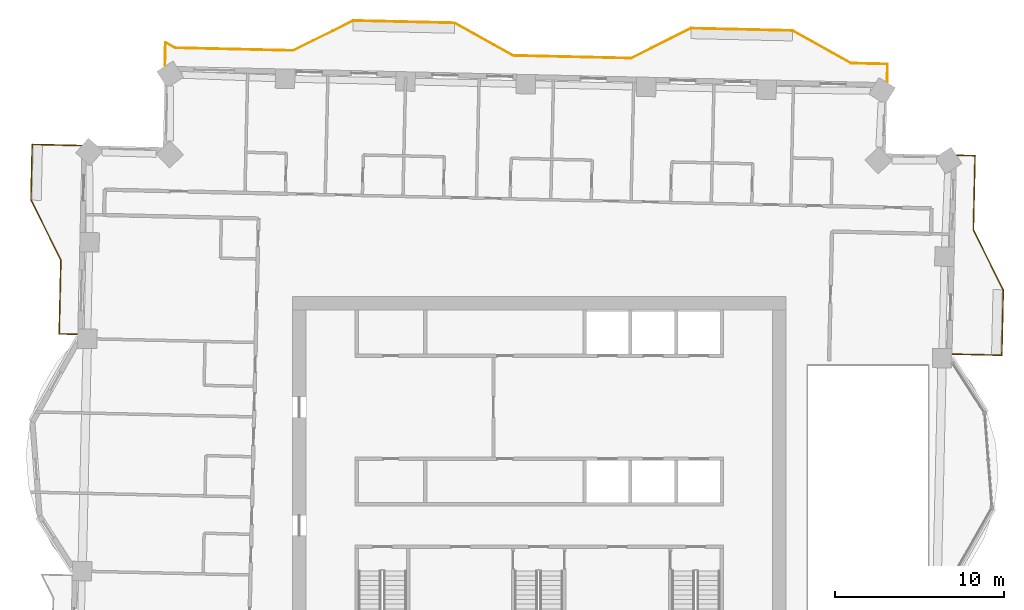
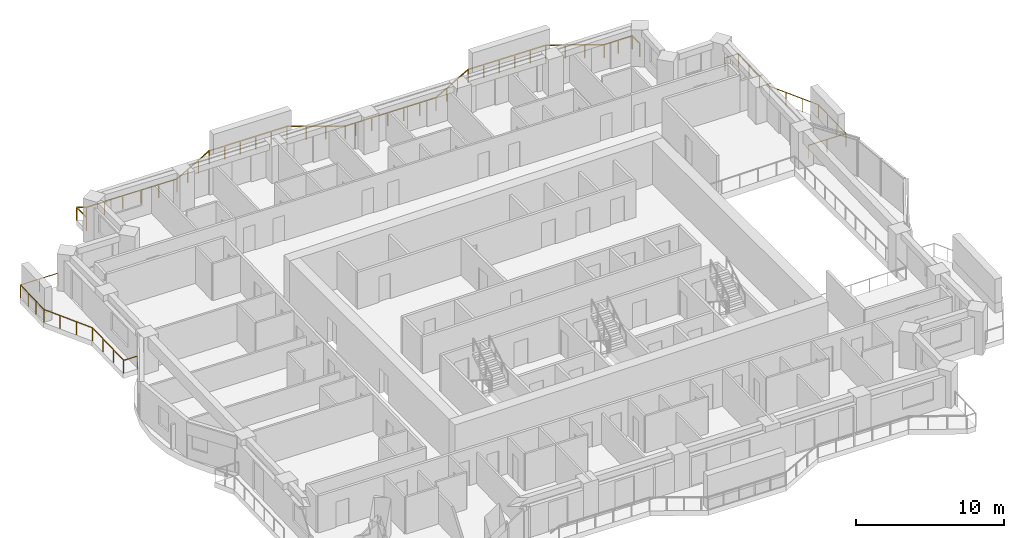
# One storey, part 14 of 14: 3 railings.
"""IFC4 building model written with IfcOpenShell, lengths in metres."""

from ifc_helpers import new_model, si_unit, direction, frame, origin, origin_2d, place, context, subcontext, project, spatial, rectangle, extrude, material, type_object, element, save


model = new_model("IFC4")

# Units and contexts
model_context = context("Model", 3, precision=1e-05, world=origin(), true_north=direction((0.0, 1.0)))
body_context = subcontext(model_context, "Body", "Model", "MODEL_VIEW")
ifc_project = project(units=[si_unit("LENGTHUNIT", "METRE"), si_unit("AREAUNIT", "SQUARE_METRE"), si_unit("VOLUMEUNIT", "CUBIC_METRE"), si_unit("PLANEANGLEUNIT", "RADIAN"), si_unit("MASSUNIT", "GRAM", prefix="KILO")], contexts=[model_context])

# Site, building, storey
site_placement = place(None, origin())
site = spatial("IfcSite", under=ifc_project, at=site_placement, CompositionType="ELEMENT")
building_placement = place(site_placement, origin())
building = spatial("IfcBuilding", under=site, at=building_placement, Name="Mangrove Gate Tower", CompositionType="ELEMENT")
storey_placement = place(building_placement, frame((0.0, 0.0, 205.10009765625)))
storey = spatial("IfcBuildingStorey", under=building, at=storey_placement, Name="L52", CompositionType="ELEMENT", Elevation=205.10009765625)

# Railings
ifc_material = material(Name="Stainless steel grade 316 with laminated glass infill", Category="steel")
railing_type = type_object("IfcRailingType", Name="Balcony guard 1100", PredefinedType="GUARDRAIL", material=ifc_material)
railing_1_placement = place(storey_placement, frame((24.467041015625, 8.18603515625, 0.0)))
element("IfcRailing", 1, at=railing_1_placement, inside=storey, type_object=railing_type, Name="GUARD L52 E2", PredefinedType="GUARDRAIL", context=body_context, shape_type="SweptSolid", body=[
    extrude(rectangle(XDim=0.048095703125, YDim=0.048095703125, at=origin_2d()), frame((0.0, 0.0, 1.076171875), z_axis=(0.999743349437, -0.022654696127, 0.0), x_axis=(0.022654696127, 0.999743349437, 0.0)), (0.0, 0.0, 1.0), 2.90966796875),
    extrude(rectangle(XDim=0.048095703125, YDim=0.048095703125, at=origin_2d()), frame((2.908935546875, -0.06591796875, 1.076171875), z_axis=(0.022751469193, 0.999741151824, 0.0), x_axis=(-0.999741151824, 0.022751469193, 0.0)), (0.0, 0.0, 1.0), 3.873779296875),
    extrude(rectangle(XDim=0.048095703125, YDim=0.048095703125, at=origin_2d()), frame((2.9970703125, 3.806884765625, 1.076171875), z_axis=(-0.447114919141, 0.894476522376, 0.0), x_axis=(-0.894476522376, -0.447114919141, 0.0)), (0.0, 0.0, 1.0), 3.958740234375),
    extrude(rectangle(XDim=0.048095703125, YDim=0.048095703125, at=origin_2d()), frame((1.22705078125, 7.347900390625, 1.076171875), z_axis=(0.022692418004, 0.999742493928, 0.0), x_axis=(-0.999742493928, 0.022692418004, 0.0)), (0.0, 0.0, 1.0), 4.400390625),
    extrude(rectangle(XDim=0.048095703125, YDim=0.048095703125, at=origin_2d()), frame((1.326904296875, 11.7470703125, 1.076171875), z_axis=(-0.999745389313, 0.022564497502, 0.0), x_axis=(-0.022564497502, -0.999745389313, 0.0)), (0.0, 0.0, 1.0), 1.060302734375),
    extrude(rectangle(XDim=0.0419921875, YDim=0.0419921875, at=origin_2d()), origin(), (0.0, 0.0, 1.0), 1.052001953125),
    extrude(rectangle(XDim=0.0419921875, YDim=0.0419921875, at=origin_2d()), frame((1.45458984375, -0.032958984375, 0.0)), (0.0, 0.0, 1.0), 1.052001953125),
    extrude(rectangle(XDim=0.0419921875, YDim=0.0419921875, at=origin_2d()), frame((2.908935546875, -0.06591796875, 0.0)), (0.0, 0.0, 1.0), 1.052001953125),
    extrude(rectangle(XDim=0.0419921875, YDim=0.0419921875, at=origin_2d()), frame((2.938232421875, 1.22509765625, 0.0)), (0.0, 0.0, 1.0), 1.052001953125),
    extrude(rectangle(XDim=0.0419921875, YDim=0.0419921875, at=origin_2d()), frame((2.9677734375, 2.515869140625, 0.0)), (0.0, 0.0, 1.0), 1.052001953125),
    extrude(rectangle(XDim=0.0419921875, YDim=0.0419921875, at=origin_2d()), frame((2.9970703125, 3.806884765625, 0.0)), (0.0, 0.0, 1.0), 1.052001953125),
    extrude(rectangle(XDim=0.0419921875, YDim=0.0419921875, at=origin_2d()), frame((2.406982421875, 4.9873046875, 0.0)), (0.0, 0.0, 1.0), 1.052001953125),
    extrude(rectangle(XDim=0.0419921875, YDim=0.0419921875, at=origin_2d()), frame((1.817138671875, 6.16748046875, 0.0)), (0.0, 0.0, 1.0), 1.052001953125),
    extrude(rectangle(XDim=0.0419921875, YDim=0.0419921875, at=origin_2d()), frame((1.22705078125, 7.347900390625, 0.0)), (0.0, 0.0, 1.0), 1.052001953125),
    extrude(rectangle(XDim=0.0419921875, YDim=0.0419921875, at=origin_2d()), frame((1.26025390625, 8.814208984375, 0.0)), (0.0, 0.0, 1.0), 1.052001953125),
    extrude(rectangle(XDim=0.0419921875, YDim=0.0419921875, at=origin_2d()), frame((1.293701171875, 10.28076171875, 0.0)), (0.0, 0.0, 1.0), 1.052001953125),
    extrude(rectangle(XDim=0.0419921875, YDim=0.0419921875, at=origin_2d()), frame((1.326904296875, 11.7470703125, 0.0)), (0.0, 0.0, 1.0), 1.052001953125),
    extrude(rectangle(XDim=0.0419921875, YDim=0.0419921875, at=origin_2d()), frame((0.266845703125, 11.77099609375, 0.0)), (0.0, 0.0, 1.0), 1.052001953125),
])
railing_2_placement = place(storey_placement, frame((20.591064453125, 24.2919921875, 0.0)))
element("IfcRailing", 2, at=railing_2_placement, inside=storey, type_object=railing_type, Name="GUARD L52 N1", PredefinedType="GUARDRAIL", context=body_context, shape_type="SweptSolid", body=[
    extrude(rectangle(XDim=0.048095703125, YDim=0.048095703125, at=origin_2d()), frame((0.0, 0.0, 1.076171875), z_axis=(0.022564497502, 0.999745389313, 0.0), x_axis=(-0.999745389313, 0.022564497502, 0.0)), (0.0, 0.0, 1.0), 1.060302734375),
    extrude(rectangle(XDim=0.048095703125, YDim=0.048095703125, at=origin_2d()), frame((0.02392578125, 1.06005859375, 1.076171875), z_axis=(-0.999747148028, 0.022486440576, 0.0), x_axis=(-0.022486440576, -0.999747148028, 0.0)), (0.0, 0.0, 1.0), 2.17138671875),
    extrude(rectangle(XDim=0.048095703125, YDim=0.048095703125, at=origin_2d()), frame((-2.14697265625, 1.10888671875, 1.076171875), z_axis=(-0.873230657876, 0.487307108654, 0.0), x_axis=(-0.487307108654, -0.873230657876, 0.0)), (0.0, 0.0, 1.0), 3.958984375),
    extrude(rectangle(XDim=0.048095703125, YDim=0.048095703125, at=origin_2d()), frame((-5.60400390625, 3.0380859375, 1.076171875), z_axis=(-0.999743178102, 0.022662255828, 0.0), x_axis=(-0.022662255828, -0.999743178102, 0.0)), (0.0, 0.0, 1.0), 6.00048828125),
    extrude(rectangle(XDim=0.048095703125, YDim=0.048095703125, at=origin_2d()), frame((-11.60302734375, 3.174072265625, 1.076171875), z_axis=(-0.894476522376, -0.447114919141, 0.0), x_axis=(0.447114919141, -0.894476522376, 0.0)), (0.0, 0.0, 1.0), 3.958740234375),
    extrude(rectangle(XDim=0.048095703125, YDim=0.048095703125, at=origin_2d()), frame((-15.14404296875, 1.404052734375, 1.076171875), z_axis=(-0.999741815214, 0.022722299893, 0.0), x_axis=(-0.022722299893, -0.999741815214, 0.0)), (0.0, 0.0, 1.0), 6.19970703125),
    extrude(rectangle(XDim=0.048095703125, YDim=0.048095703125, at=origin_2d()), frame((-21.342041015625, 1.544921875, 1.076171875), z_axis=(-0.999745132473, 0.022575874215, 0.0), x_axis=(-0.022575874215, -0.999745132473, 0.0)), (0.0, 0.0, 1.0), 0.80029296875),
    extrude(rectangle(XDim=0.048095703125, YDim=0.048095703125, at=origin_2d()), frame((-22.14208984375, 1.56298828125, 1.076171875), z_axis=(-0.87325689943, 0.48726008209, 0.0), x_axis=(-0.48726008209, -0.87325689943, 0.0)), (0.0, 0.0, 1.0), 3.958740234375),
    extrude(rectangle(XDim=0.048095703125, YDim=0.048095703125, at=origin_2d()), frame((-25.59912109375, 3.491943359375, 1.076171875), z_axis=(-0.999743178102, 0.022662255828, 0.0), x_axis=(-0.022662255828, -0.999743178102, 0.0)), (0.0, 0.0, 1.0), 6.00048828125),
    extrude(rectangle(XDim=0.048095703125, YDim=0.048095703125, at=origin_2d()), frame((-31.59814453125, 3.6279296875, 1.076171875), z_axis=(-0.894476522376, -0.447114919141, 0.0), x_axis=(0.447114919141, -0.894476522376, 0.0)), (0.0, 0.0, 1.0), 3.958740234375),
    extrude(rectangle(XDim=0.048095703125, YDim=0.048095703125, at=origin_2d()), frame((-35.13916015625, 1.85791015625, 1.076171875), z_axis=(-0.999741385179, 0.022741212823, 0.0), x_axis=(-0.022741212823, -0.999741385179, 0.0)), (0.0, 0.0, 1.0), 6.99951171875),
    extrude(rectangle(XDim=0.048095703125, YDim=0.048095703125, at=origin_2d()), frame((-42.136962890625, 2.01708984375, 1.076171875), z_axis=(-0.873533596009, 0.486763861275, 0.0), x_axis=(-0.486763861275, -0.873533596009, 0.0)), (0.0, 0.0, 1.0), 0.64697265625),
    extrude(rectangle(XDim=0.048095703125, YDim=0.048095703125, at=origin_2d()), frame((-42.7021484375, 2.33203125, 1.076171875), z_axis=(-0.022041605607, -0.9997570543, 0.0), x_axis=(0.9997570543, -0.022041605607, 0.0)), (0.0, 0.0, 1.0), 1.3623046875),
    extrude(rectangle(XDim=0.0419921875, YDim=0.0419921875, at=origin_2d()), origin(), (0.0, 0.0, 1.0), 1.052001953125),
    extrude(rectangle(XDim=0.0419921875, YDim=0.0419921875, at=origin_2d()), frame((0.02392578125, 1.06005859375, 0.0)), (0.0, 0.0, 1.0), 1.052001953125),
    extrude(rectangle(XDim=0.0419921875, YDim=0.0419921875, at=origin_2d()), frame((-1.0615234375, 1.08447265625, 0.0)), (0.0, 0.0, 1.0), 1.052001953125),
    extrude(rectangle(XDim=0.0419921875, YDim=0.0419921875, at=origin_2d()), frame((-2.14697265625, 1.10888671875, 0.0)), (0.0, 0.0, 1.0), 1.052001953125),
    extrude(rectangle(XDim=0.0419921875, YDim=0.0419921875, at=origin_2d()), frame((-3.29931640625, 1.751953125, 0.0)), (0.0, 0.0, 1.0), 1.052001953125),
    extrude(rectangle(XDim=0.0419921875, YDim=0.0419921875, at=origin_2d()), frame((-4.45166015625, 2.39501953125, 0.0)), (0.0, 0.0, 1.0), 1.052001953125),
    extrude(rectangle(XDim=0.0419921875, YDim=0.0419921875, at=origin_2d()), frame((-5.60400390625, 3.0380859375, 0.0)), (0.0, 0.0, 1.0), 1.052001953125),
    extrude(rectangle(XDim=0.0419921875, YDim=0.0419921875, at=origin_2d()), frame((-6.8037109375, 3.065185546875, 0.0)), (0.0, 0.0, 1.0), 1.052001953125),
    extrude(rectangle(XDim=0.0419921875, YDim=0.0419921875, at=origin_2d()), frame((-8.003662109375, 3.092529296875, 0.0)), (0.0, 0.0, 1.0), 1.052001953125),
    extrude(rectangle(XDim=0.0419921875, YDim=0.0419921875, at=origin_2d()), frame((-9.203369140625, 3.11962890625, 0.0)), (0.0, 0.0, 1.0), 1.052001953125),
    extrude(rectangle(XDim=0.0419921875, YDim=0.0419921875, at=origin_2d()), frame((-10.4033203125, 3.14697265625, 0.0)), (0.0, 0.0, 1.0), 1.052001953125),
    extrude(rectangle(XDim=0.0419921875, YDim=0.0419921875, at=origin_2d()), frame((-11.60302734375, 3.174072265625, 0.0)), (0.0, 0.0, 1.0), 1.052001953125),
    extrude(rectangle(XDim=0.0419921875, YDim=0.0419921875, at=origin_2d()), frame((-12.783447265625, 2.583984375, 0.0)), (0.0, 0.0, 1.0), 1.052001953125),
    extrude(rectangle(XDim=0.0419921875, YDim=0.0419921875, at=origin_2d()), frame((-13.963623046875, 1.994140625, 0.0)), (0.0, 0.0, 1.0), 1.052001953125),
    extrude(rectangle(XDim=0.0419921875, YDim=0.0419921875, at=origin_2d()), frame((-15.14404296875, 1.404052734375, 0.0)), (0.0, 0.0, 1.0), 1.052001953125),
    extrude(rectangle(XDim=0.0419921875, YDim=0.0419921875, at=origin_2d()), frame((-16.383544921875, 1.43212890625, 0.0)), (0.0, 0.0, 1.0), 1.052001953125),
    extrude(rectangle(XDim=0.0419921875, YDim=0.0419921875, at=origin_2d()), frame((-17.623291015625, 1.46044921875, 0.0)), (0.0, 0.0, 1.0), 1.052001953125),
    extrude(rectangle(XDim=0.0419921875, YDim=0.0419921875, at=origin_2d()), frame((-18.86279296875, 1.488525390625, 0.0)), (0.0, 0.0, 1.0), 1.052001953125),
    extrude(rectangle(XDim=0.0419921875, YDim=0.0419921875, at=origin_2d()), frame((-20.1025390625, 1.516845703125, 0.0)), (0.0, 0.0, 1.0), 1.052001953125),
    extrude(rectangle(XDim=0.0419921875, YDim=0.0419921875, at=origin_2d()), frame((-21.342041015625, 1.544921875, 0.0)), (0.0, 0.0, 1.0), 1.052001953125),
    extrude(rectangle(XDim=0.0419921875, YDim=0.0419921875, at=origin_2d()), frame((-22.14208984375, 1.56298828125, 0.0)), (0.0, 0.0, 1.0), 1.052001953125),
    extrude(rectangle(XDim=0.0419921875, YDim=0.0419921875, at=origin_2d()), frame((-23.29443359375, 2.2060546875, 0.0)), (0.0, 0.0, 1.0), 1.052001953125),
    extrude(rectangle(XDim=0.0419921875, YDim=0.0419921875, at=origin_2d()), frame((-24.44677734375, 2.848876953125, 0.0)), (0.0, 0.0, 1.0), 1.052001953125),
    extrude(rectangle(XDim=0.0419921875, YDim=0.0419921875, at=origin_2d()), frame((-25.59912109375, 3.491943359375, 0.0)), (0.0, 0.0, 1.0), 1.052001953125),
    extrude(rectangle(XDim=0.0419921875, YDim=0.0419921875, at=origin_2d()), frame((-26.798828125, 3.51904296875, 0.0)), (0.0, 0.0, 1.0), 1.052001953125),
    extrude(rectangle(XDim=0.0419921875, YDim=0.0419921875, at=origin_2d()), frame((-27.998779296875, 3.54638671875, 0.0)), (0.0, 0.0, 1.0), 1.052001953125),
    extrude(rectangle(XDim=0.0419921875, YDim=0.0419921875, at=origin_2d()), frame((-29.198486328125, 3.573486328125, 0.0)), (0.0, 0.0, 1.0), 1.052001953125),
    extrude(rectangle(XDim=0.0419921875, YDim=0.0419921875, at=origin_2d()), frame((-30.3984375, 3.600830078125, 0.0)), (0.0, 0.0, 1.0), 1.052001953125),
    extrude(rectangle(XDim=0.0419921875, YDim=0.0419921875, at=origin_2d()), frame((-31.59814453125, 3.6279296875, 0.0)), (0.0, 0.0, 1.0), 1.052001953125),
    extrude(rectangle(XDim=0.0419921875, YDim=0.0419921875, at=origin_2d()), frame((-32.778564453125, 3.037841796875, 0.0)), (0.0, 0.0, 1.0), 1.052001953125),
    extrude(rectangle(XDim=0.0419921875, YDim=0.0419921875, at=origin_2d()), frame((-33.958740234375, 2.447998046875, 0.0)), (0.0, 0.0, 1.0), 1.052001953125),
    extrude(rectangle(XDim=0.0419921875, YDim=0.0419921875, at=origin_2d()), frame((-35.13916015625, 1.85791015625, 0.0)), (0.0, 0.0, 1.0), 1.052001953125),
    extrude(rectangle(XDim=0.0419921875, YDim=0.0419921875, at=origin_2d()), frame((-36.538818359375, 1.8896484375, 0.0)), (0.0, 0.0, 1.0), 1.052001953125),
    extrude(rectangle(XDim=0.0419921875, YDim=0.0419921875, at=origin_2d()), frame((-37.938232421875, 1.921630859375, 0.0)), (0.0, 0.0, 1.0), 1.052001953125),
    extrude(rectangle(XDim=0.0419921875, YDim=0.0419921875, at=origin_2d()), frame((-39.337890625, 1.953369140625, 0.0)), (0.0, 0.0, 1.0), 1.052001953125),
    extrude(rectangle(XDim=0.0419921875, YDim=0.0419921875, at=origin_2d()), frame((-40.7373046875, 1.9853515625, 0.0)), (0.0, 0.0, 1.0), 1.052001953125),
    extrude(rectangle(XDim=0.0419921875, YDim=0.0419921875, at=origin_2d()), frame((-42.136962890625, 2.01708984375, 0.0)), (0.0, 0.0, 1.0), 1.052001953125),
    extrude(rectangle(XDim=0.0419921875, YDim=0.0419921875, at=origin_2d()), frame((-42.7021484375, 2.33203125, 0.0)), (0.0, 0.0, 1.0), 1.052001953125),
    extrude(rectangle(XDim=0.0419921875, YDim=0.0419921875, at=origin_2d()), frame((-42.732177734375, 0.969970703125, 0.0)), (0.0, 0.0, 1.0), 1.052001953125),
])
railing_3_placement = place(storey_placement, frame((-27.090087890625, 20.532958984375, 0.0)))
element("IfcRailing", 3, at=railing_3_placement, inside=storey, type_object=railing_type, Name="GUARD L52 W1", PredefinedType="GUARDRAIL", context=body_context, shape_type="SweptSolid", body=[
    extrude(rectangle(XDim=0.048095703125, YDim=0.048095703125, at=origin_2d()), frame((0.0, 0.0, 1.076171875), z_axis=(-0.99974144554, 0.022738559105, 0.0), x_axis=(-0.022738559105, -0.99974144554, 0.0)), (0.0, 0.0, 1.0), 2.90966796875),
    extrude(rectangle(XDim=0.048095703125, YDim=0.048095703125, at=origin_2d()), frame((-2.908935546875, 0.066162109375, 1.076171875), z_axis=(-0.022713002452, -0.999742026485, 0.0), x_axis=(0.999742026485, -0.022713002452, 0.0)), (0.0, 0.0, 1.0), 3.2998046875),
    extrude(rectangle(XDim=0.048095703125, YDim=0.048095703125, at=origin_2d()), frame((-2.98388671875, -3.23291015625, 1.076171875), z_axis=(0.447114919141, -0.894476522376, 0.0), x_axis=(0.894476522376, 0.447114919141, 0.0)), (0.0, 0.0, 1.0), 3.958740234375),
    extrude(rectangle(XDim=0.048095703125, YDim=0.048095703125, at=origin_2d()), frame((-1.2138671875, -6.77392578125, 1.076171875), z_axis=(-0.022655491882, -0.999743331404, 0.0), x_axis=(0.999743331404, -0.022655491882, 0.0)), (0.0, 0.0, 1.0), 4.375244140625),
    extrude(rectangle(XDim=0.048095703125, YDim=0.048095703125, at=origin_2d()), frame((-1.31298828125, -11.14794921875, 1.076171875), z_axis=(0.999744919731, -0.022585293253, 0.0), x_axis=(0.022585293253, 0.999744919731, 0.0)), (0.0, 0.0, 1.0), 1.059326171875),
    extrude(rectangle(XDim=0.0419921875, YDim=0.0419921875, at=origin_2d()), origin(), (0.0, 0.0, 1.0), 1.052001953125),
    extrude(rectangle(XDim=0.0419921875, YDim=0.0419921875, at=origin_2d()), frame((-1.45458984375, 0.033203125, 0.0)), (0.0, 0.0, 1.0), 1.052001953125),
    extrude(rectangle(XDim=0.0419921875, YDim=0.0419921875, at=origin_2d()), frame((-2.908935546875, 0.066162109375, 0.0)), (0.0, 0.0, 1.0), 1.052001953125),
    extrude(rectangle(XDim=0.0419921875, YDim=0.0419921875, at=origin_2d()), frame((-2.933837890625, -1.033447265625, 0.0)), (0.0, 0.0, 1.0), 1.052001953125),
    extrude(rectangle(XDim=0.0419921875, YDim=0.0419921875, at=origin_2d()), frame((-2.958984375, -2.13330078125, 0.0)), (0.0, 0.0, 1.0), 1.052001953125),
    extrude(rectangle(XDim=0.0419921875, YDim=0.0419921875, at=origin_2d()), frame((-2.98388671875, -3.23291015625, 0.0)), (0.0, 0.0, 1.0), 1.052001953125),
    extrude(rectangle(XDim=0.0419921875, YDim=0.0419921875, at=origin_2d()), frame((-2.393798828125, -4.413330078125, 0.0)), (0.0, 0.0, 1.0), 1.052001953125),
    extrude(rectangle(XDim=0.0419921875, YDim=0.0419921875, at=origin_2d()), frame((-1.803955078125, -5.593505859375, 0.0)), (0.0, 0.0, 1.0), 1.052001953125),
    extrude(rectangle(XDim=0.0419921875, YDim=0.0419921875, at=origin_2d()), frame((-1.2138671875, -6.77392578125, 0.0)), (0.0, 0.0, 1.0), 1.052001953125),
    extrude(rectangle(XDim=0.0419921875, YDim=0.0419921875, at=origin_2d()), frame((-1.246826171875, -8.23193359375, 0.0)), (0.0, 0.0, 1.0), 1.052001953125),
    extrude(rectangle(XDim=0.0419921875, YDim=0.0419921875, at=origin_2d()), frame((-1.280029296875, -9.68994140625, 0.0)), (0.0, 0.0, 1.0), 1.052001953125),
    extrude(rectangle(XDim=0.0419921875, YDim=0.0419921875, at=origin_2d()), frame((-1.31298828125, -11.14794921875, 0.0)), (0.0, 0.0, 1.0), 1.052001953125),
    extrude(rectangle(XDim=0.0419921875, YDim=0.0419921875, at=origin_2d()), frame((-0.25390625, -11.171875, 0.0)), (0.0, 0.0, 1.0), 1.052001953125),
])

save(model, "model.ifc")
